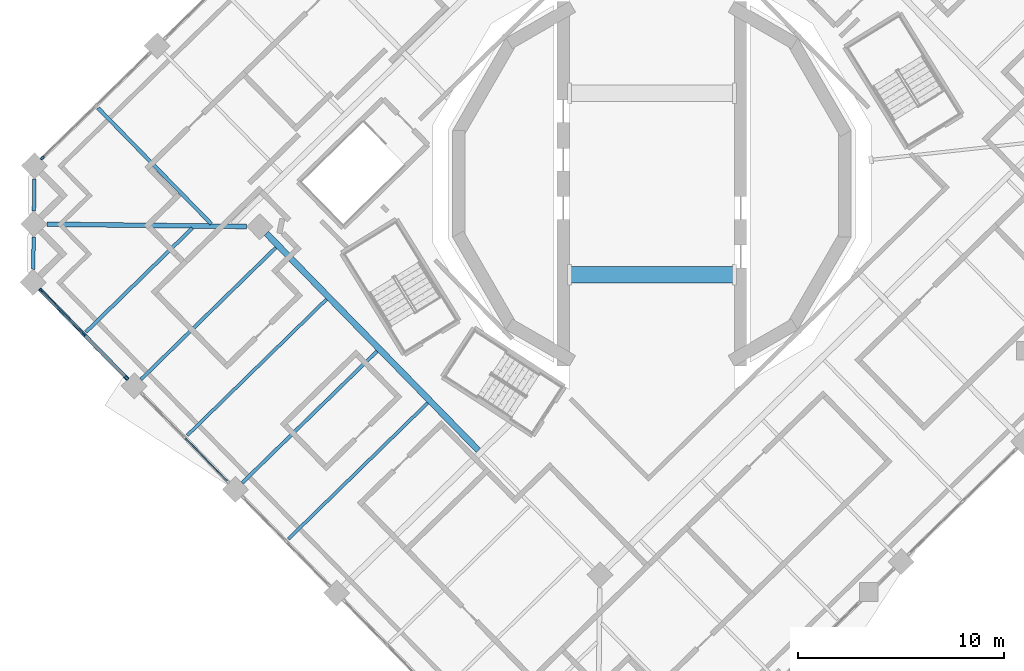
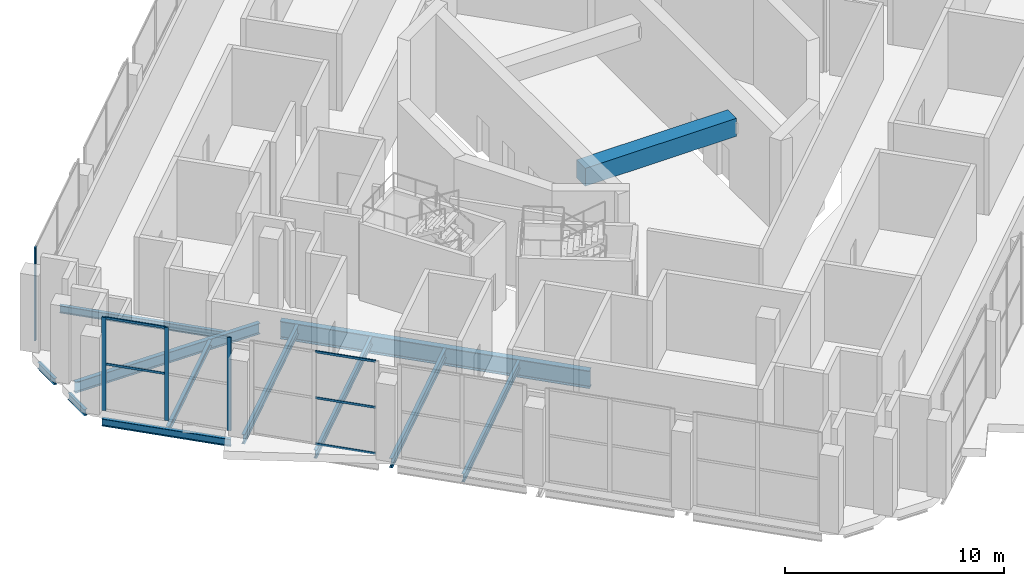
# One storey, part 3 of 20: 12 beams, 9 members, 3 elements without a shape of their own.
"""IFC4 building model written with IfcOpenShell, lengths in metres."""

from ifc_helpers import new_model, si_unit, direction, frame, origin, origin_2d, place, context, subcontext, project, spatial, rectangle, i_section, extrude, material, material_profile, profile_set, type_object, element, aggregate, save


model = new_model("IFC4")

# Units and contexts
model_context = context("Model", 3, precision=1e-05, world=origin(), true_north=direction((0.0, 1.0)))
body_context = subcontext(model_context, "Body", "Model", "MODEL_VIEW")
ifc_project = project(units=[si_unit("LENGTHUNIT", "METRE"), si_unit("AREAUNIT", "SQUARE_METRE"), si_unit("VOLUMEUNIT", "CUBIC_METRE"), si_unit("PLANEANGLEUNIT", "RADIAN"), si_unit("MASSUNIT", "GRAM", prefix="KILO")], contexts=[model_context])

# Site, building, storey
site_placement = place(None, origin())
site = spatial("IfcSite", under=ifc_project, at=site_placement, CompositionType="ELEMENT")
building_placement = place(site_placement, origin())
building = spatial("IfcBuilding", under=site, at=building_placement, Name="Cantera Rosa Tower", CompositionType="ELEMENT")
storey_placement = place(building_placement, frame((0.0, 0.0, 245.0)))
storey = spatial("IfcBuildingStorey", under=building, at=storey_placement, Name="L54", CompositionType="ELEMENT", Elevation=245.0)

# Curtain wall, member
ifc_material_1 = material(Name="Anodised aluminium louvre", Category="aluminium")
curtain_wall_type = type_object("IfcCurtainWallType", Name="CW3 REFUGE LOUVRE WALL", PredefinedType="NOTDEFINED", material=ifc_material_1)
curtain_wall_1_placement = place(storey_placement, origin())
curtain_wall_1 = element("IfcCurtainWall", 1, at=curtain_wall_1_placement, inside=storey, type_object=curtain_wall_type, Name="CW3 CW3", PredefinedType="NOTDEFINED")
ifc_material_2 = material(Name="Anodised bronze aluminium", Category="aluminium")
ifc_material_profile_1 = material_profile(ifc_material_2, rectangle(XDim=0.080078125, YDim=0.199951171875, at=origin_2d()), Name="CW-MULLION 80x200 REFUGE")
ifc_profile_set_1 = profile_set([ifc_material_profile_1], Name="Anodised bronze aluminium")
member_type_1 = type_object("IfcMemberType", Name="CW-MULLION 80x200 REFUGE", PredefinedType="MULLION", material=ifc_profile_set_1)
member_1_placement = place(storey_placement, frame((-29.551513671875, 1.256103515625, 0.0), z_axis=(0.0, 0.0, 1.0), x_axis=(0.698831540439, -0.715286290997, 0.0)))
member_1 = element("IfcMember", 2, at=member_1_placement, type_object=member_type_1, Name="CW3 mullion 3", PredefinedType="MULLION", context=body_context, shape_type="SweptSolid", body=[
    extrude(rectangle(XDim=0.080078125, YDim=0.199951171875, at=origin_2d()), origin(), (0.0, 0.0, 1.0), 5.199951171875),
])
aggregate(curtain_wall_1, [member_1])

# Curtain wall, members
curtain_wall_2_placement = place(storey_placement, origin())
curtain_wall_2 = element("IfcCurtainWall", 3, at=curtain_wall_2_placement, inside=storey, type_object=curtain_wall_type, Name="CW3 CW3", PredefinedType="NOTDEFINED")
member_2_placement = place(storey_placement, frame((-29.626220703125, -5.1640625, 0.0), z_axis=(0.0, 0.0, 1.0), x_axis=(0.715286291046, 0.698831540389, 0.0)))
member_2 = element("IfcMember", 4, at=member_2_placement, type_object=member_type_1, Name="CW3 mullion 1", PredefinedType="MULLION", context=body_context, shape_type="SweptSolid", body=[
    extrude(rectangle(XDim=0.080078125, YDim=0.199951171875, at=origin_2d()), origin(), (0.0, 0.0, 1.0), 5.199951171875),
])
member_3_placement = place(storey_placement, frame((-27.55078125, -7.288330078125, 0.0), z_axis=(0.0, 0.0, 1.0), x_axis=(0.715286291046, 0.698831540389, 0.0)))
member_3 = element("IfcMember", 5, at=member_3_placement, type_object=member_type_1, Name="CW3 mullion 2", PredefinedType="MULLION", context=body_context, shape_type="SweptSolid", body=[
    extrude(rectangle(XDim=0.080078125, YDim=0.199951171875, at=origin_2d()), origin(), (0.0, 0.0, 1.0), 5.199951171875),
])
member_4_placement = place(storey_placement, frame((-25.47509765625, -9.412841796875, 0.0), z_axis=(0.0, 0.0, 1.0), x_axis=(0.715286291046, 0.698831540389, 0.0)))
member_4 = element("IfcMember", 6, at=member_4_placement, type_object=member_type_1, Name="CW3 mullion 3", PredefinedType="MULLION", context=body_context, shape_type="SweptSolid", body=[
    extrude(rectangle(XDim=0.080078125, YDim=0.199951171875, at=origin_2d()), origin(), (0.0, 0.0, 1.0), 5.199951171875),
])
ifc_material_3 = material(Name="Anodised bronze aluminium", Category="aluminium")
ifc_material_profile_2 = material_profile(ifc_material_3, rectangle(XDim=0.06005859375, YDim=0.1201171875, at=origin_2d()), Name="CW-TRANSOM 60x120 REFUGE")
ifc_profile_set_2 = profile_set([ifc_material_profile_2], Name="Anodised bronze aluminium")
member_type_2 = type_object("IfcMemberType", Name="CW-TRANSOM 60x120 REFUGE", PredefinedType="USERDEFINED", material=ifc_profile_set_2)
member_5_placement = place(storey_placement, frame((-29.598388671875, -5.192626953125, 2.60009765625), z_axis=(0.698865185777, -0.715253418104, 0.0), x_axis=(0.715253418104, 0.698865185777, 0.0)))
member_5 = element("IfcMember", 7, at=member_5_placement, type_object=member_type_2, Name="CW3 transom 1.2", ObjectType="TRANSOM", PredefinedType="USERDEFINED", context=body_context, shape_type="SweptSolid", body=[
    extrude(rectangle(XDim=0.06005859375, YDim=0.1201171875, at=origin_2d()), origin(), (0.0, 0.0, 1.0), 2.89013671875),
])
member_6_placement = place(storey_placement, frame((-29.598388671875, -5.192626953125, 5.169921875), z_axis=(0.698865185777, -0.715253418104, 0.0), x_axis=(0.715253418104, 0.698865185777, 0.0)))
member_6 = element("IfcMember", 8, at=member_6_placement, type_object=member_type_2, Name="CW3 transom 1.3", ObjectType="TRANSOM", PredefinedType="USERDEFINED", context=body_context, shape_type="SweptSolid", body=[
    extrude(rectangle(XDim=0.06005859375, YDim=0.1201171875, at=origin_2d()), origin(), (0.0, 0.0, 1.0), 2.89013671875),
])
aggregate(curtain_wall_2, [member_2, member_3, member_4, member_5, member_6])

curtain_wall_3_placement = place(storey_placement, origin())
curtain_wall_3 = element("IfcCurtainWall", 9, at=curtain_wall_3_placement, inside=storey, type_object=curtain_wall_type, Name="CW3 CW3", PredefinedType="NOTDEFINED")
member_7_placement = place(storey_placement, frame((-22.616943359375, -12.33837890625, 0.030029296875), z_axis=(0.698821965382, -0.715295645659, 0.0), x_axis=(0.715295645659, 0.698821965382, 0.0)))
member_7 = element("IfcMember", 10, at=member_7_placement, type_object=member_type_2, Name="CW3 transom 2.1", ObjectType="TRANSOM", PredefinedType="USERDEFINED", context=body_context, shape_type="SweptSolid", body=[
    extrude(rectangle(XDim=0.06005859375, YDim=0.1201171875, at=origin_2d()), origin(), (0.0, 0.0, 1.0), 2.889892578125),
])
member_8_placement = place(storey_placement, frame((-22.616943359375, -12.33837890625, 2.60009765625), z_axis=(0.698821965382, -0.715295645659, 0.0), x_axis=(0.715295645659, 0.698821965382, 0.0)))
member_8 = element("IfcMember", 11, at=member_8_placement, type_object=member_type_2, Name="CW3 transom 2.2", ObjectType="TRANSOM", PredefinedType="USERDEFINED", context=body_context, shape_type="SweptSolid", body=[
    extrude(rectangle(XDim=0.06005859375, YDim=0.1201171875, at=origin_2d()), origin(), (0.0, 0.0, 1.0), 2.889892578125),
])
member_9_placement = place(storey_placement, frame((-22.616943359375, -12.33837890625, 5.169921875), z_axis=(0.698821965382, -0.715295645659, 0.0), x_axis=(0.715295645659, 0.698821965382, 0.0)))
member_9 = element("IfcMember", 12, at=member_9_placement, type_object=member_type_2, Name="CW3 transom 2.3", ObjectType="TRANSOM", PredefinedType="USERDEFINED", context=body_context, shape_type="SweptSolid", body=[
    extrude(rectangle(XDim=0.06005859375, YDim=0.1201171875, at=origin_2d()), origin(), (0.0, 0.0, 1.0), 2.889892578125),
])
aggregate(curtain_wall_3, [member_7, member_8, member_9])

# Beams
ifc_material_4 = material(Name="Concrete C50/60", Category="concrete")
ifc_material_profile_3 = material_profile(ifc_material_4, rectangle(XDim=0.800048828125, YDim=1.0, at=origin_2d()), Name="RC COUPLING BEAM RC800X1000 C50/60")
ifc_profile_set_3 = profile_set([ifc_material_profile_3], Name="Concrete C50/60")
beam_type_1 = type_object("IfcBeamType", Name="RC COUPLING BEAM RC800X1000 C50/60", PredefinedType="BEAM", material=ifc_profile_set_3)
beam_1_placement = place(storey_placement, frame((-4.0, -4.39990234375, 3.800048828125), z_axis=(1.0, 0.0, 0.0), x_axis=(0.0, 1.0, 0.0)))
element("IfcBeam", 13, at=beam_1_placement, inside=storey, type_object=beam_type_1, Name="CPL-L54-1", PredefinedType="BEAM", context=body_context, shape_type="SweptSolid", body=[
    extrude(rectangle(XDim=0.800048828125, YDim=1.0, at=origin_2d()), origin(), (0.0, 0.0, 1.0), 8.0),
])
ifc_material_5 = material(Name="Steel ASTM A992 (Fy 345 MPa)", Category="steel")
ifc_material_profile_4 = material_profile(ifc_material_5, i_section(OverallWidth=0.300048828125, OverallDepth=0.990966796875, WebThickness=0.0166015625, FlangeThickness=0.030517578125, FilletRadius=0.030029296875, at=origin_2d()), Name="W1000X272")
ifc_profile_set_4 = profile_set([ifc_material_profile_4], Name="Steel ASTM A992 (Fy 345 MPa)")
beam_type_2 = type_object("IfcBeamType", Name="STEEL BEAM W1000X272", PredefinedType="BEAM", material=ifc_profile_set_4)
beam_2_placement = place(storey_placement, frame((-8.4169921875, -12.9208984375, -0.945556640625), z_axis=(-0.698826825527, 0.715290897415, 0.0), x_axis=(-0.715290897415, -0.698826825527, 0.0)))
element("IfcBeam", 14, at=beam_2_placement, inside=storey, type_object=beam_type_2, Name="RB-Z4-07 L54", PredefinedType="BEAM", context=body_context, shape_type="SweptSolid", body=[
    extrude(i_section(OverallWidth=0.300048828125, OverallDepth=0.990966796875, WebThickness=0.0166015625, FlangeThickness=0.030517578125, FilletRadius=0.030029296875, at=origin_2d()), origin(), (0.0, 0.0, 1.0), 14.7099609375),
])
ifc_material_6 = material(Name="Steel ASTM A992 (Fy 345 MPa)", Category="steel")
ifc_material_profile_5 = material_profile(ifc_material_6, i_section(OverallWidth=0.166015625, OverallDepth=0.528076171875, WebThickness=0.009765625, FlangeThickness=0.013671875, FilletRadius=0.0126953125, at=origin_2d()), Name="W530X74")
ifc_profile_set_5 = profile_set([ifc_material_profile_5], Name="Steel ASTM A992 (Fy 345 MPa)")
beam_type_3 = type_object("IfcBeamType", Name="STEEL BEAM W530X74", PredefinedType="BEAM", material=ifc_profile_set_5)
for number, where, z_axis, x_axis, name in (
    (15, (-24.77587890625, -9.484619140625, -0.714111328125), (0.71529025682, 0.698827481213, 0.0), (-0.698827481213, 0.71529025682, 0.0), "G-Z4-13 L54"),
    (16, (-19.8701171875, -14.505859375, -0.714111328125), (0.71529025682, 0.698827481213, 0.0), (-0.698827481213, 0.71529025682, 0.0), "G-Z4-14 L54"),
):
    element("IfcBeam", number, at=place(storey_placement, frame(where, z_axis=z_axis, x_axis=x_axis)), inside=storey, type_object=beam_type_3, Name=name, PredefinedType="BEAM", context=body_context, shape_type="SweptSolid", body=[
        extrude(i_section(OverallWidth=0.166015625, OverallDepth=0.528076171875, WebThickness=0.009765625, FlangeThickness=0.013671875, FilletRadius=0.0126953125, at=origin_2d()), origin(), (0.0, 0.0, 1.0), 9.14990234375),
    ])
ifc_material_7 = material(Name="Steel ASTM A992 (Fy 345 MPa)", Category="steel")
ifc_material_profile_6 = material_profile(ifc_material_7, i_section(OverallWidth=0.22802734375, OverallDepth=0.60205078125, WebThickness=0.010498046875, FlangeThickness=0.014892578125, FilletRadius=0.0126953125, at=origin_2d()), Name="W610X101")
ifc_profile_set_6 = profile_set([ifc_material_profile_6], Name="Steel ASTM A992 (Fy 345 MPa)")
beam_type_4 = type_object("IfcBeamType", Name="STEEL BEAM W610X101", PredefinedType="BEAM", material=ifc_profile_set_6)
beam_3_placement = place(storey_placement, frame((-29.334228515625, -1.95703125, -0.7509765625), z_axis=(0.999932504919, -0.011618330597, 0.0), x_axis=(0.011618330597, 0.999932504919, 0.0)))
element("IfcBeam", 17, at=beam_3_placement, inside=storey, type_object=beam_type_4, Name="CB-Z4-02 L54", PredefinedType="BEAM", context=body_context, shape_type="SweptSolid", body=[
    extrude(i_section(OverallWidth=0.22802734375, OverallDepth=0.60205078125, WebThickness=0.010498046875, FlangeThickness=0.014892578125, FilletRadius=0.0126953125, at=origin_2d()), origin(), (0.0, 0.0, 1.0), 9.687255859375),
])
ifc_material_8 = material(Name="Steel ASTM A992 (Fy 345 MPa)", Category="steel")
ifc_material_profile_7 = material_profile(ifc_material_8, i_section(OverallWidth=0.1708984375, OverallDepth=0.35595703125, WebThickness=0.00732421875, FlangeThickness=0.01171875, FilletRadius=0.010009765625, at=origin_2d()), Name="W360X51")
ifc_profile_set_7 = profile_set([ifc_material_profile_7], Name="Steel ASTM A992 (Fy 345 MPa)")
beam_type_5 = type_object("IfcBeamType", Name="STEEL JOIST W360X51", PredefinedType="JOIST", material=ifc_profile_set_7)
beam_4_placement = place(storey_placement, frame((-27.443359375, -7.18359375, -0.6279296875), z_axis=(0.715287213552, 0.69883059616, 0.0), x_axis=(-0.69883059616, 0.715287213552, 0.0)))
element("IfcBeam", 18, at=beam_4_placement, inside=storey, type_object=beam_type_5, Name="B-Z4-16 L54", PredefinedType="JOIST", context=body_context, shape_type="SweptSolid", body=[
    extrude(i_section(OverallWidth=0.1708984375, OverallDepth=0.35595703125, WebThickness=0.00732421875, FlangeThickness=0.01171875, FilletRadius=0.010009765625, at=origin_2d()), origin(), (0.0, 0.0, 1.0), 7.2099609375),
])
ifc_material_9 = material(Name="Steel ASTM A992 (Fy 345 MPa)", Category="steel")
ifc_material_profile_8 = material_profile(ifc_material_9, i_section(OverallWidth=0.177978515625, OverallDepth=0.406005859375, WebThickness=0.0078125, FlangeThickness=0.0126953125, FilletRadius=0.01025390625, at=origin_2d()), Name="W410X60")
ifc_profile_set_8 = profile_set([ifc_material_profile_8], Name="Steel ASTM A992 (Fy 345 MPa)")
beam_type_6 = type_object("IfcBeamType", Name="STEEL JOIST W410X60", PredefinedType="JOIST", material=ifc_profile_set_8)
beam_5_placement = place(storey_placement, frame((-26.857421875, 3.678466796875, -0.653076171875), z_axis=(0.698843394481, -0.715274709458, 0.0), x_axis=(0.715274709458, 0.698843394481, 0.0)))
element("IfcBeam", 19, at=beam_5_placement, inside=storey, type_object=beam_type_6, Name="B-Z4-10 L54", PredefinedType="JOIST", context=body_context, shape_type="SweptSolid", body=[
    extrude(i_section(OverallWidth=0.177978515625, OverallDepth=0.406005859375, WebThickness=0.0078125, FlangeThickness=0.0126953125, FilletRadius=0.01025390625, at=origin_2d()), origin(), (0.0, 0.0, 1.0), 7.860107421875),
])
ifc_material_10 = material(Name="Steel ASTM A992 (Fy 345 MPa)", Category="steel")
ifc_material_profile_9 = material_profile(ifc_material_10, i_section(OverallWidth=0.154052734375, OverallDepth=0.4599609375, WebThickness=0.009033203125, FlangeThickness=0.015380859375, FilletRadius=0.01025390625, at=origin_2d()), Name="W460X68")
ifc_profile_set_9 = profile_set([ifc_material_profile_9], Name="Steel ASTM A992 (Fy 345 MPa)")
beam_type_7 = type_object("IfcBeamType", Name="STEEL JOIST W460X68", PredefinedType="JOIST", material=ifc_profile_set_9)
for number, where, z_axis, x_axis, name in (
    (20, (-22.53759765625, -12.204833984375, -0.679931640625), (0.715287278354, 0.698830529832, 0.0), (-0.698830529832, 0.715287278354, 0.0), "B-Z4-17 L54"),
    (21, (-17.6318359375, -17.226318359375, -0.679931640625), (0.715287278354, 0.698830529832, 0.0), (-0.698830529832, 0.715287278354, 0.0), "B-Z4-18 L54"),
):
    element("IfcBeam", number, at=place(storey_placement, frame(where, z_axis=z_axis, x_axis=x_axis)), inside=storey, type_object=beam_type_7, Name=name, PredefinedType="JOIST", context=body_context, shape_type="SweptSolid", body=[
        extrude(i_section(OverallWidth=0.154052734375, OverallDepth=0.4599609375, WebThickness=0.009033203125, FlangeThickness=0.015380859375, FilletRadius=0.01025390625, at=origin_2d()), origin(), (0.0, 0.0, 1.0), 9.4501953125),
    ])
ifc_material_11 = material(Name="Steel ASTM A992 (Fy 345 MPa)", Category="steel")
ifc_material_profile_10 = material_profile(ifc_material_11, i_section(OverallWidth=0.1708984375, OverallDepth=0.35595703125, WebThickness=0.00732421875, FlangeThickness=0.01171875, FilletRadius=0.010009765625, at=origin_2d()), Name="W360X51")
ifc_profile_set_10 = profile_set([ifc_material_profile_10], Name="Steel ASTM A992 (Fy 345 MPa)")
beam_type_8 = type_object("IfcBeamType", Name="STEEL SPANDREL BEAM W360X51", PredefinedType="SPANDREL", material=ifc_profile_set_10)
beam_6_placement = place(storey_placement, frame((-29.945068359375, 0.242431640625, -0.6279296875), z_axis=(-0.011769429589, -0.999930737865, 0.0), x_axis=(0.999930737865, -0.011769429589, 0.0)))
element("IfcBeam", 22, at=beam_6_placement, inside=storey, type_object=beam_type_8, Name="EB-Z4-13 L54", PredefinedType="SPANDREL", context=body_context, shape_type="SweptSolid", body=[
    extrude(i_section(OverallWidth=0.1708984375, OverallDepth=0.35595703125, WebThickness=0.00732421875, FlangeThickness=0.01171875, FilletRadius=0.010009765625, at=origin_2d()), origin(), (0.0, 0.0, 1.0), 1.5556640625),
])
beam_7_placement = place(storey_placement, frame((-29.97802734375, -2.5859375, -0.6279296875), z_axis=(-0.011614347636, -0.99993255119, 0.0), x_axis=(0.99993255119, -0.011614347636, 0.0)))
element("IfcBeam", 23, at=beam_7_placement, inside=storey, type_object=beam_type_8, Name="EB-Z4-14 L54", PredefinedType="SPANDREL", context=body_context, shape_type="SweptSolid", body=[
    extrude(i_section(OverallWidth=0.1708984375, OverallDepth=0.35595703125, WebThickness=0.00732421875, FlangeThickness=0.01171875, FilletRadius=0.010009765625, at=origin_2d()), origin(), (0.0, 0.0, 1.0), 1.555419921875),
])
ifc_material_12 = material(Name="Steel ASTM A992 (Fy 345 MPa)", Category="steel")
ifc_material_profile_11 = material_profile(ifc_material_12, i_section(OverallWidth=0.177978515625, OverallDepth=0.406005859375, WebThickness=0.0078125, FlangeThickness=0.0126953125, FilletRadius=0.01025390625, at=origin_2d()), Name="W410X60")
ifc_profile_set_11 = profile_set([ifc_material_profile_11], Name="Steel ASTM A992 (Fy 345 MPa)")
beam_type_9 = type_object("IfcBeamType", Name="STEEL SPANDREL BEAM W410X60", PredefinedType="SPANDREL", material=ifc_profile_set_11)
beam_8_placement = place(storey_placement, frame((-29.689208984375, -5.099609375, -0.653076171875), z_axis=(0.69882117953, -0.715296413412, 0.0), x_axis=(0.715296413412, 0.69882117953, 0.0)))
element("IfcBeam", 24, at=beam_8_placement, inside=storey, type_object=beam_type_9, Name="EB-Z4-15 L54", PredefinedType="SPANDREL", context=body_context, shape_type="SweptSolid", body=[
    extrude(i_section(OverallWidth=0.177978515625, OverallDepth=0.406005859375, WebThickness=0.0078125, FlangeThickness=0.0126953125, FilletRadius=0.01025390625, at=origin_2d()), origin(), (0.0, 0.0, 1.0), 6.1201171875),
])

save(model, "model.ifc")
